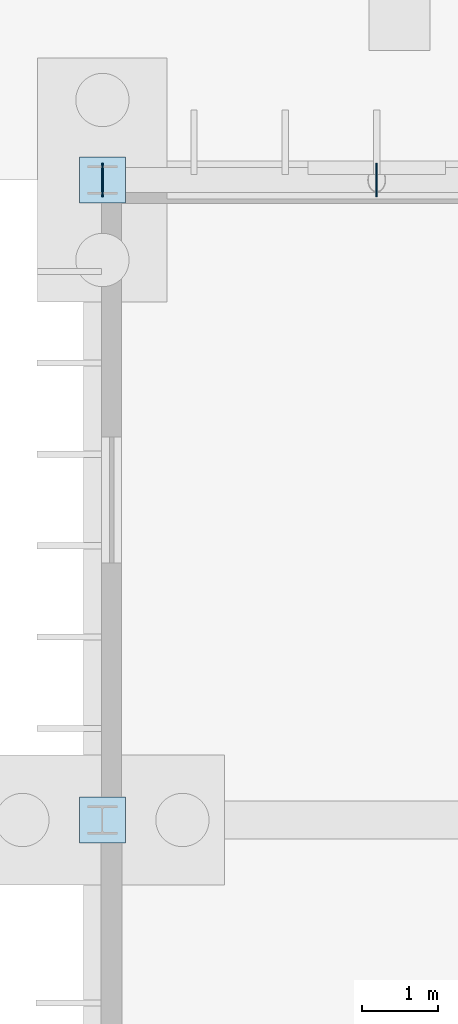
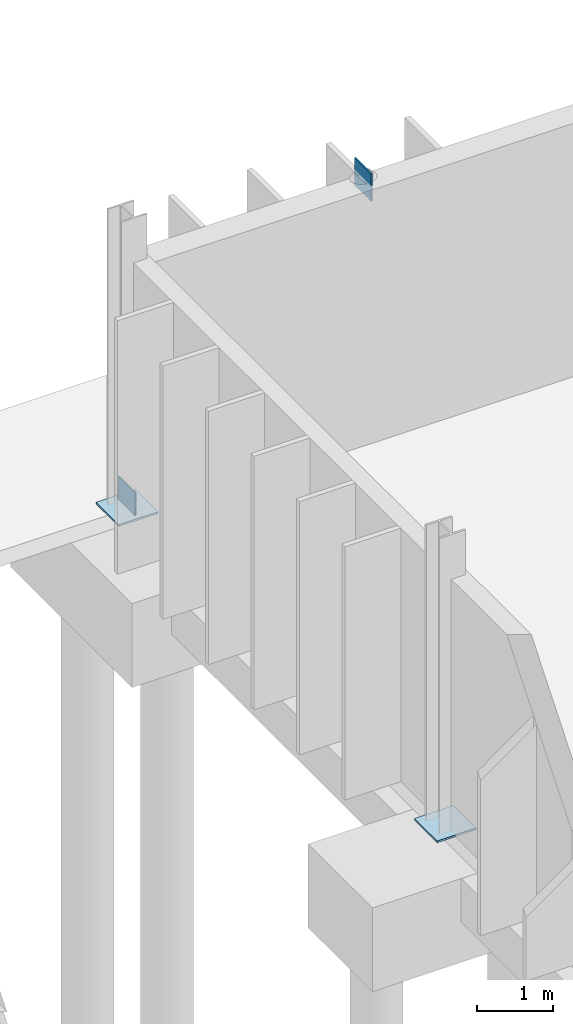
# One storey, part 81 of 118: 4 plates.
"""IFC4 building model written with IfcOpenShell, lengths in metres."""

from ifc_helpers import new_model, si_unit, direction, frame, origin, origin_2d, place, context, subcontext, project, spatial, rectangle, extrude, material, layer, layer_set, type_object, element, save


model = new_model("IFC4")

# Units and contexts
model_context = context("Model", 3, precision=1e-05, world=origin(), true_north=direction((0.0, 1.0)))
body_context = subcontext(model_context, "Body", "Model", "MODEL_VIEW")
ifc_project = project(units=[si_unit("LENGTHUNIT", "METRE"), si_unit("AREAUNIT", "SQUARE_METRE"), si_unit("VOLUMEUNIT", "CUBIC_METRE"), si_unit("PLANEANGLEUNIT", "RADIAN"), si_unit("MASSUNIT", "GRAM", prefix="KILO")], contexts=[model_context])

# Site, building, storey
site_placement = place(None, origin())
site = spatial("IfcSite", under=ifc_project, at=site_placement, CompositionType="ELEMENT")
building_placement = place(site_placement, origin())
building = spatial("IfcBuilding", under=site, at=building_placement, Name="Qelthora Terrace Specialist Clinic", CompositionType="ELEMENT")
storey_placement = place(building_placement, origin())
storey = spatial("IfcBuildingStorey", under=building, at=storey_placement, Name="L00", CompositionType="ELEMENT", Elevation=0.0)

# Plates
ifc_material = material(Name="Steel S355", Category="steel")
ifc_layer_1 = layer(ifc_material, 0.030029296875)
ifc_layer_set_1 = layer_set([ifc_layer_1], Name="Steel S355")
plate_type_1 = type_object("IfcPlateType", Name="PLT-BASE-600X600X30", PredefinedType="USERDEFINED", material=ifc_layer_set_1)
for number, where, z_axis, x_axis, name in (
    (1, (57.60009765625, 100.800048828125, 0.0), (0.0, 0.0, 1.0), (1.0, 0.0, 0.0), "Steel column base plate BPLT-079"),
    (2, (57.60009765625, 109.199951171875, 0.0), (0.0, 0.0, 1.0), (1.0, 0.0, 0.0), "Steel column base plate BPLT-080"),
):
    element("IfcPlate", number, at=place(storey_placement, frame(where, z_axis=z_axis, x_axis=x_axis)), inside=storey, type_object=plate_type_1, Name=name, ObjectType="GUSSET PLATE", PredefinedType="USERDEFINED", context=body_context, shape_type="SweptSolid", body=[
        extrude(rectangle(XDim=0.60009765625, YDim=0.60009765625, at=origin_2d()), origin(), (0.0, 0.0, 1.0), 0.030029296875),
    ])
ifc_layer_2 = layer(ifc_material, 0.02001953125)
ifc_layer_set_2 = layer_set([ifc_layer_2], Name="Steel S355")
plate_type_2 = type_object("IfcPlateType", Name="PLT-GUS-480X480X20", PredefinedType="USERDEFINED", material=ifc_layer_set_2)
for number, where, z_axis, x_axis, name in (
    (3, (57.60009765625, 109.199951171875, -0.0400390625), (0.0, 0.0, 1.0), (1.0, 0.0, 0.0), "Steel truss node plate GPLT-0188"),
    (4, (61.199951171875, 109.199951171875, 3.830078125), (0.0, 0.0, 1.0), (1.0, 0.0, 0.0), "Steel truss node plate GPLT-0189"),
):
    element("IfcPlate", number, at=place(storey_placement, frame(where, z_axis=z_axis, x_axis=x_axis)), inside=storey, type_object=plate_type_2, Name=name, ObjectType="GUSSET PLATE", PredefinedType="USERDEFINED", context=body_context, shape_type="SweptSolid", body=[
        extrude(rectangle(XDim=0.02001953125, YDim=0.43994140625, at=origin_2d()), origin(), (0.0, 0.0, 1.0), 0.43994140625),
    ])

save(model, "model.ifc")
